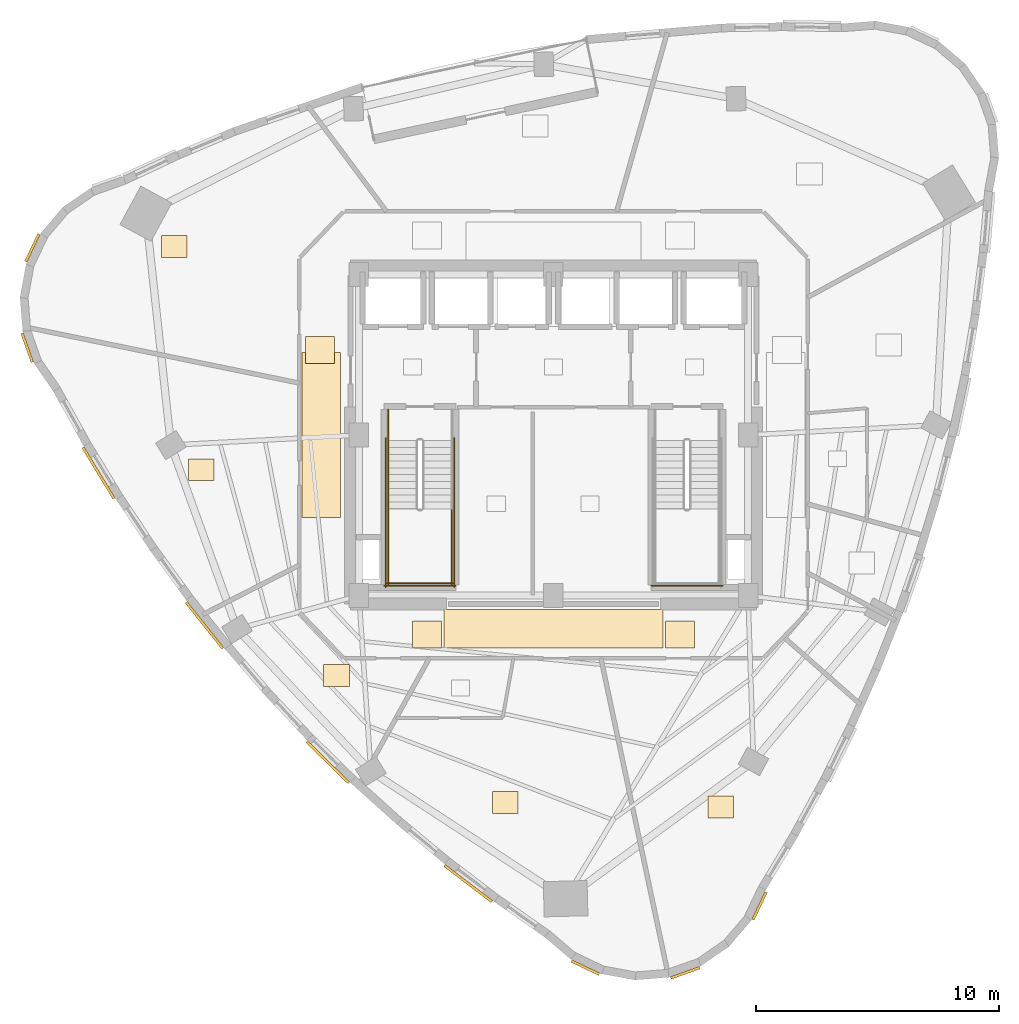
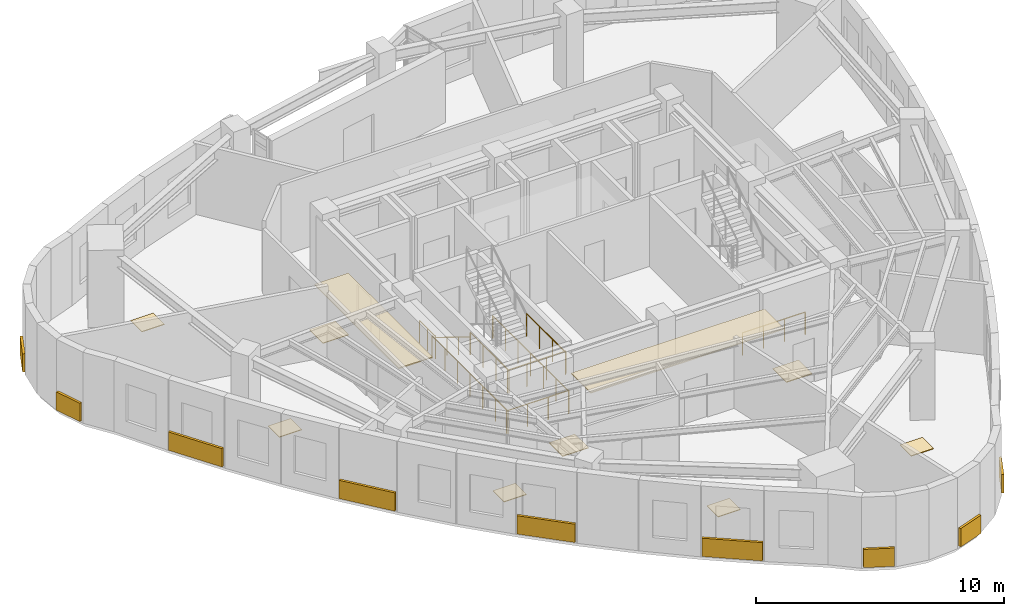
# One storey, part 8 of 10: 19 coverings, 9 railings.
"""IFC4 building model written with IfcOpenShell, lengths in metres."""

from ifc_helpers import new_model, si_unit, direction, frame, origin, origin_2d, place, context, subcontext, project, spatial, rectangle, circle, extrude, material, layer, layer_set, type_object, element, save


model = new_model("IFC4")

# Units and contexts
model_context = context("Model", 3, precision=1e-05, world=origin(), true_north=direction((0.0, 1.0)))
body_context = subcontext(model_context, "Body", "Model", "MODEL_VIEW")
ifc_project = project(units=[si_unit("LENGTHUNIT", "METRE"), si_unit("AREAUNIT", "SQUARE_METRE"), si_unit("VOLUMEUNIT", "CUBIC_METRE"), si_unit("PLANEANGLEUNIT", "RADIAN"), si_unit("MASSUNIT", "GRAM", prefix="KILO")], contexts=[model_context])

# Site, building, storey
site_placement = place(None, origin())
site = spatial("IfcSite", under=ifc_project, at=site_placement, CompositionType="ELEMENT")
building_placement = place(site_placement, origin())
building = spatial("IfcBuilding", under=site, at=building_placement, Name="Ndelora Gate Hotel", CompositionType="ELEMENT")
storey_placement = place(building_placement, frame((0.0, 0.0, 251.14990234375)))
storey = spatial("IfcBuildingStorey", under=building, at=storey_placement, Name="L63", CompositionType="ELEMENT", Elevation=251.14990234375)

# Coverings
ifc_material_1 = material(Name="Perforated Acoustic Gypsum Board", Category="gypsum")
ifc_layer_1 = layer(ifc_material_1, 0.054931640625)
ifc_layer_set_1 = layer_set([ifc_layer_1], Name="Perforated Acoustic Gypsum Board")
covering_type_1 = type_object("IfcCoveringType", Name="COV-CEIL-AC60", PredefinedType="CEILING", material=ifc_layer_set_1)
covering_1_placement = place(storey_placement, frame((-9.550048828125, 0.0, 2.65283203125), z_axis=(0.0, 0.0, 1.0), x_axis=(1.0, 0.0, 0.0)))
element("IfcCovering", 1, at=covering_1_placement, inside=storey, type_object=covering_type_1, Name="L63 Guest Corridor Acoustic Ceiling W", PredefinedType="CEILING", context=body_context, shape_type="SweptSolid", body=[
    extrude(rectangle(XDim=1.580078125, YDim=6.800048828125, at=origin_2d()), origin(), (0.0, 0.0, 1.0), 0.054931640625),
])
covering_2_placement = place(storey_placement, frame((0.0, -7.9599609375, 2.65283203125), z_axis=(0.0, 0.0, 1.0), x_axis=(1.0, 0.0, 0.0)))
element("IfcCovering", 2, at=covering_2_placement, inside=storey, type_object=covering_type_1, Name="L63 Guest Corridor Acoustic Ceiling S", PredefinedType="CEILING", context=body_context, shape_type="SweptSolid", body=[
    extrude(rectangle(XDim=9.0, YDim=1.580078125, at=origin_2d()), origin(), (0.0, 0.0, 1.0), 0.054931640625),
])
ifc_material_2 = material(Name="Terracotta Fired Clay Brick Slip Cladding", Category="masonry")
ifc_layer_2 = layer(ifc_material_2, 0.110107421875)
ifc_layer_set_2 = layer_set([ifc_layer_2], Name="Terracotta Fired Clay Brick Slip Cladding")
covering_type_2 = type_object("IfcCoveringType", Name="COV-CLAD-BRK", PredefinedType="CLADDING", material=ifc_layer_set_2)
covering_3_placement = place(storey_placement, frame((-21.42578125, 7.69921875, 0.10009765625), z_axis=(0.0, 0.0, 1.0), x_axis=(0.430511096808, 0.90258528435, 0.0)))
element("IfcCovering", 3, at=covering_3_placement, inside=storey, type_object=covering_type_2, Name="L63 Rounded-Corner Brick Cladding Band 4", PredefinedType="CLADDING", context=body_context, shape_type="SweptSolid", body=[
    extrude(rectangle(XDim=1.258056640625, YDim=0.110107421875, at=origin_2d()), origin(), (0.0, 0.0, 1.0), 0.89990234375),
])
covering_4_placement = place(storey_placement, frame((-21.64111328125, 3.591796875, 0.10009765625), z_axis=(0.0, 0.0, 1.0), x_axis=(-0.333806859234, 0.942641491092, 0.0)))
element("IfcCovering", 4, at=covering_4_placement, inside=storey, type_object=covering_type_2, Name="L63 Rounded-Corner Brick Cladding Band 7", PredefinedType="CLADDING", context=body_context, shape_type="SweptSolid", body=[
    extrude(rectangle(XDim=1.257080078125, YDim=0.110107421875, at=origin_2d()), origin(), (0.0, 0.0, 1.0), 0.89990234375),
])
covering_5_placement = place(storey_placement, frame((-18.70947265625, -1.558837890625, 0.10009765625), z_axis=(0.0, 0.0, 1.0), x_axis=(-0.519668235165, 0.854368143929, 0.0)))
element("IfcCovering", 5, at=covering_5_placement, inside=storey, type_object=covering_type_2, Name="L63 Rounded-Corner Brick Cladding Band 10", PredefinedType="CLADDING", context=body_context, shape_type="SweptSolid", body=[
    extrude(rectangle(XDim=2.4599609375, YDim=0.110107421875, at=origin_2d()), origin(), (0.0, 0.0, 1.0), 0.89990234375),
])
for number, where, z_axis, x_axis, name in (
    (6, (-14.35009765625, -7.824951171875, 0.10009765625), (0.0, 0.0, 1.0), (-0.621147780278, 0.783693457326, 0.0), "L63 Rounded-Corner Brick Cladding Band 13"),
    (7, (-9.281982421875, -13.45361328125, 0.10009765625), (0.0, 0.0, 1.0), (-0.714472679633, 0.699663340513, 0.0), "L63 Rounded-Corner Brick Cladding Band 16"),
):
    element("IfcCovering", number, at=place(storey_placement, frame(where, z_axis=z_axis, x_axis=x_axis)), inside=storey, type_object=covering_type_2, Name=name, PredefinedType="CLADDING", context=body_context, shape_type="SweptSolid", body=[
        extrude(rectangle(XDim=2.4208984375, YDim=0.110107421875, at=origin_2d()), origin(), (0.0, 0.0, 1.0), 0.89990234375),
    ])
covering_6_placement = place(storey_placement, frame((-3.506103515625, -18.444091796875, 0.10009765625), z_axis=(0.0, 0.0, 1.0), x_axis=(-0.795367703812, 0.606127227349, 0.0)))
element("IfcCovering", 8, at=covering_6_placement, inside=storey, type_object=covering_type_2, Name="L63 Rounded-Corner Brick Cladding Band 19", PredefinedType="CLADDING", context=body_context, shape_type="SweptSolid", body=[
    extrude(rectangle(XDim=2.4599609375, YDim=0.110107421875, at=origin_2d()), origin(), (0.0, 0.0, 1.0), 0.89990234375),
])
covering_7_placement = place(storey_placement, frame((1.31005859375, -21.89794921875, 0.10009765625), z_axis=(0.0, 0.0, 1.0), x_axis=(-0.90258528435, 0.430511096808, 0.0)))
element("IfcCovering", 9, at=covering_7_placement, inside=storey, type_object=covering_type_2, Name="L63 Rounded-Corner Brick Cladding Band 22", PredefinedType="CLADDING", context=body_context, shape_type="SweptSolid", body=[
    extrude(rectangle(XDim=1.258056640625, YDim=0.110107421875, at=origin_2d()), origin(), (0.0, 0.0, 1.0), 0.89990234375),
])
covering_8_placement = place(storey_placement, frame((5.41748046875, -22.11328125, 0.10009765625), z_axis=(0.0, 0.0, 1.0), x_axis=(0.942641491092, 0.333806859234, 0.0)))
element("IfcCovering", 10, at=covering_8_placement, inside=storey, type_object=covering_type_2, Name="L63 Rounded-Corner Brick Cladding Band 25", PredefinedType="CLADDING", context=body_context, shape_type="SweptSolid", body=[
    extrude(rectangle(XDim=1.257080078125, YDim=0.110107421875, at=origin_2d()), origin(), (0.0, 0.0, 1.0), 0.89990234375),
])
covering_9_placement = place(storey_placement, frame((8.47412109375, -19.361083984375, 0.10009765625), z_axis=(0.0, 0.0, 1.0), x_axis=(0.430511096808, 0.90258528435, 0.0)))
element("IfcCovering", 11, at=covering_9_placement, inside=storey, type_object=covering_type_2, Name="L63 Rounded-Corner Brick Cladding Band 28", PredefinedType="CLADDING", context=body_context, shape_type="SweptSolid", body=[
    extrude(rectangle(XDim=1.258056640625, YDim=0.110107421875, at=origin_2d()), origin(), (0.0, 0.0, 1.0), 0.89990234375),
])
ifc_material_3 = material(Name="Engineered Highland Oak Parquet", Category="wood")
ifc_layer_3 = layer(ifc_material_3, 0.030029296875)
ifc_layer_set_3 = layer_set([ifc_layer_3], Name="Engineered Highland Oak Parquet")
covering_type_3 = type_object("IfcCoveringType", Name="COV-FLR-PARQ", PredefinedType="FLOORING", material=ifc_layer_set_3)
for number, where, z_axis, x_axis, name in (
    (12, (-15.5849609375, 7.751708984375, 0.0), (0.0, 0.0, 1.0), (1.0, 0.0, 0.0), "L63 Diplomatic Security Office Oak Parquet Flooring"),
    (13, (-14.4892578125, -1.424560546875, 0.0), (0.0, 0.0, 1.0), (1.0, 0.0, 0.0), "L63 Royal Retinue Conference Room Oak Parquet Flooring"),
    (14, (-8.9208984375, -9.887451171875, 0.0), (0.0, 0.0, 1.0), (1.0, 0.0, 0.0), "L63 Private Chef Kitchen Oak Parquet Flooring"),
    (15, (-1.982421875, -15.110107421875, 0.0), (0.0, 0.0, 1.0), (1.0, 0.0, 0.0), "L63 Ambassador Retinue Suite 6602 Oak Parquet Flooring"),
    (16, (6.885498046875, -15.29931640625, 0.0), (0.0, 0.0, 1.0), (1.0, 0.0, 0.0), "L63 Protocol Study Office Oak Parquet Flooring"),
):
    element("IfcCovering", number, at=place(storey_placement, frame(where, z_axis=z_axis, x_axis=x_axis)), inside=storey, type_object=covering_type_3, Name=name, PredefinedType="FLOORING", context=body_context, shape_type="SweptSolid", body=[
        extrude(rectangle(XDim=1.050048828125, YDim=0.89990234375, at=origin_2d()), origin(), (0.0, 0.0, 1.0), 0.030029296875),
    ])
ifc_material_4 = material(Name="Polished Highland Stone Terrazzo", Category="masonry")
ifc_layer_4 = layer(ifc_material_4, 0.034912109375)
ifc_layer_set_4 = layer_set([ifc_layer_4], Name="Polished Highland Stone Terrazzo")
covering_type_4 = type_object("IfcCoveringType", Name="COV-FLR-TERZ", PredefinedType="FLOORING", material=ifc_layer_set_4)
for number, where, z_axis, x_axis, name in (
    (17, (-9.60009765625, 3.5, 0.0), (0.0, 0.0, 1.0), (1.0, 0.0, 0.0), "L63 Corridor Threshold Terrazzo Inlay W"),
    (18, (-5.199951171875, -8.199951171875, 0.0), (0.0, 0.0, 1.0), (1.0, 0.0, 0.0), "L63 Corridor Threshold Terrazzo Inlay SW"),
    (19, (5.199951171875, -8.199951171875, 0.0), (0.0, 0.0, 1.0), (1.0, 0.0, 0.0), "L63 Corridor Threshold Terrazzo Inlay SE"),
):
    element("IfcCovering", number, at=place(storey_placement, frame(where, z_axis=z_axis, x_axis=x_axis)), inside=storey, type_object=covering_type_4, Name=name, PredefinedType="FLOORING", context=body_context, shape_type="SweptSolid", body=[
        extrude(rectangle(XDim=1.199951171875, YDim=1.10009765625, at=origin_2d()), origin(), (0.0, 0.0, 1.0), 0.034912109375),
    ])

# Railings
ifc_material_5 = material(Name="Painted Galvanized Steel Balustrade", Category="steel")
ifc_layer_5 = layer(ifc_material_5, 0.06005859375)
ifc_layer_set_5 = layer_set([ifc_layer_5], Name="Painted Galvanized Steel Balustrade")
railing_type_1 = type_object("IfcRailingType", Name="RL-STAIR-GD", PredefinedType="GUARDRAIL", material=ifc_layer_set_5)
for number, where, name in (
    (20, (-6.800048828125, -3.030029296875, 1.900146484375), "L63 ST4 stair guard 3"),
    (21, (-4.179931640625, -3.030029296875, 1.900146484375), "L63 ST4 stair guard 4"),
):
    element("IfcRailing", number, at=place(storey_placement, frame(where)), inside=storey, type_object=railing_type_1, Name=name, PredefinedType="GUARDRAIL", context=body_context, shape_type="SweptSolid", body=[
        extrude(circle(Radius=0.02392578125, at=origin_2d()), frame((0.0, 0.0, 1.10595703125), z_axis=(0.0, -1.0, 0.0), x_axis=(1.0, 0.0, 0.0)), (0.0, 0.0, 1.0), 3.119873046875),
        extrude(circle(Radius=0.02099609375, at=origin_2d()), origin(), (0.0, 0.0, 1.0), 1.081787109375),
        extrude(circle(Radius=0.02099609375, at=origin_2d()), frame((0.0, -1.0400390625, 0.0)), (0.0, 0.0, 1.0), 1.081787109375),
        extrude(circle(Radius=0.02099609375, at=origin_2d()), frame((0.0, -2.079833984375, 0.0)), (0.0, 0.0, 1.0), 1.081787109375),
        extrude(circle(Radius=0.02099609375, at=origin_2d()), frame((0.0, -3.119873046875, 0.0)), (0.0, 0.0, 1.0), 1.081787109375),
    ])
railing_1_placement = place(storey_placement, frame((-6.85009765625, -6.10009765625, 1.900146484375)))
element("IfcRailing", 22, at=railing_1_placement, inside=storey, type_object=railing_type_1, Name="L63 ST4 stair guard 5", PredefinedType="GUARDRAIL", context=body_context, shape_type="SweptSolid", body=[
    extrude(circle(Radius=0.02392578125, at=origin_2d()), frame((0.0, 0.0, 1.10595703125), z_axis=(1.0, 0.0, 0.0), x_axis=(0.0, 1.0, 0.0)), (0.0, 0.0, 1.0), 2.72021484375),
    extrude(circle(Radius=0.02099609375, at=origin_2d()), origin(), (0.0, 0.0, 1.0), 1.081787109375),
    extrude(circle(Radius=0.02099609375, at=origin_2d()), frame((0.90673828125, 0.0, 0.0)), (0.0, 0.0, 1.0), 1.081787109375),
    extrude(circle(Radius=0.02099609375, at=origin_2d()), frame((1.8134765625, 0.0, 0.0)), (0.0, 0.0, 1.0), 1.081787109375),
    extrude(circle(Radius=0.02099609375, at=origin_2d()), frame((2.72021484375, 0.0, 0.0)), (0.0, 0.0, 1.0), 1.081787109375),
])
railing_2_placement = place(storey_placement, frame((-6.800048828125, 1.050048828125, 0.0)))
element("IfcRailing", 23, at=railing_2_placement, inside=storey, type_object=railing_type_1, Name="L63 ST4 stair guard 8", PredefinedType="GUARDRAIL", context=body_context, shape_type="SweptSolid", body=[
    extrude(circle(Radius=0.02392578125, at=origin_2d()), frame((0.0, 0.0, 1.10595703125), z_axis=(0.0, -1.0, 0.0), x_axis=(1.0, 0.0, 0.0)), (0.0, 0.0, 1.0), 1.280029296875),
    extrude(circle(Radius=0.02099609375, at=origin_2d()), origin(), (0.0, 0.0, 1.0), 1.081787109375),
    extrude(circle(Radius=0.02099609375, at=origin_2d()), frame((0.0, -0.64013671875, 0.0)), (0.0, 0.0, 1.0), 1.081787109375),
    extrude(circle(Radius=0.02099609375, at=origin_2d()), frame((0.0, -1.280029296875, 0.0)), (0.0, 0.0, 1.0), 1.081787109375),
])
for number, where, name in (
    (24, (-6.89990234375, -0.1298828125, 0.0), "L63 ST4 stair guard 10"),
    (25, (-4.080078125, -0.1298828125, 0.0), "L63 ST4 stair guard 11"),
):
    element("IfcRailing", number, at=place(storey_placement, frame(where)), inside=storey, type_object=railing_type_1, Name=name, PredefinedType="GUARDRAIL", context=body_context, shape_type="SweptSolid", body=[
        extrude(circle(Radius=0.02392578125, at=origin_2d()), frame((0.0, 0.0, 1.10595703125), z_axis=(0.0, -1.0, 0.0), x_axis=(1.0, 0.0, 0.0)), (0.0, 0.0, 1.0), 6.1201171875),
        extrude(circle(Radius=0.02099609375, at=origin_2d()), origin(), (0.0, 0.0, 1.0), 1.081787109375),
        extrude(circle(Radius=0.02099609375, at=origin_2d()), frame((0.0, -1.02001953125, 0.0)), (0.0, 0.0, 1.0), 1.081787109375),
        extrude(circle(Radius=0.02099609375, at=origin_2d()), frame((0.0, -2.0400390625, 0.0)), (0.0, 0.0, 1.0), 1.081787109375),
        extrude(circle(Radius=0.02099609375, at=origin_2d()), frame((0.0, -3.06005859375, 0.0)), (0.0, 0.0, 1.0), 1.081787109375),
        extrude(circle(Radius=0.02099609375, at=origin_2d()), frame((0.0, -4.080078125, 0.0)), (0.0, 0.0, 1.0), 1.081787109375),
        extrude(circle(Radius=0.02099609375, at=origin_2d()), frame((0.0, -5.10009765625, 0.0)), (0.0, 0.0, 1.0), 1.081787109375),
        extrude(circle(Radius=0.02099609375, at=origin_2d()), frame((0.0, -6.1201171875, 0.0)), (0.0, 0.0, 1.0), 1.081787109375),
    ])
for number, where, name in (
    (26, (-6.949951171875, -6.199951171875, 0.0), "L63 ST4 stair guard 12"),
    (27, (4.030029296875, -6.199951171875, 0.0), "L63 ST5 stair guard 12"),
):
    element("IfcRailing", number, at=place(storey_placement, frame(where)), inside=storey, type_object=railing_type_1, Name=name, PredefinedType="GUARDRAIL", context=body_context, shape_type="SweptSolid", body=[
        extrude(circle(Radius=0.02392578125, at=origin_2d()), frame((0.0, 0.0, 1.10595703125), z_axis=(1.0, 0.0, 0.0), x_axis=(0.0, 1.0, 0.0)), (0.0, 0.0, 1.0), 2.919921875),
        extrude(circle(Radius=0.02099609375, at=origin_2d()), origin(), (0.0, 0.0, 1.0), 1.081787109375),
        extrude(circle(Radius=0.02099609375, at=origin_2d()), frame((0.973388671875, 0.0, 0.0)), (0.0, 0.0, 1.0), 1.081787109375),
        extrude(circle(Radius=0.02099609375, at=origin_2d()), frame((1.946533203125, 0.0, 0.0)), (0.0, 0.0, 1.0), 1.081787109375),
        extrude(circle(Radius=0.02099609375, at=origin_2d()), frame((2.919921875, 0.0, 0.0)), (0.0, 0.0, 1.0), 1.081787109375),
    ])
ifc_material_6 = material(Name="Brushed Stainless Steel 316", Category="steel")
ifc_layer_6 = layer(ifc_material_6, 0.050048828125)
ifc_layer_set_6 = layer_set([ifc_layer_6], Name="Brushed Stainless Steel 316")
railing_type_2 = type_object("IfcRailingType", Name="RL-STAIR-HR", PredefinedType="HANDRAIL", material=ifc_layer_set_6)
railing_3_placement = place(storey_placement, frame((-6.800048828125, -0.22998046875, 0.1728515625)))
element("IfcRailing", 28, at=railing_3_placement, inside=storey, type_object=railing_type_2, Name="L63 ST4 stair handrail 1", PredefinedType="HANDRAIL", context=body_context, shape_type="SweptSolid", body=[
    extrude(circle(Radius=0.02392578125, at=origin_2d()), frame((0.0, 0.0, 0.8759765625), z_axis=(0.0, -0.851089632645, 0.525020415988), x_axis=(1.0, 0.0, 0.0)), (0.0, 0.0, 1.0), 3.2900390625),
    extrude(circle(Radius=0.02099609375, at=origin_2d()), origin(), (0.0, 0.0, 1.0), 0.851806640625),
    extrude(circle(Radius=0.02099609375, at=origin_2d()), frame((0.0, -0.933349609375, 0.57568359375)), (0.0, 0.0, 1.0), 0.851806640625),
    extrude(circle(Radius=0.02099609375, at=origin_2d()), frame((0.0, -1.86669921875, 1.151611328125)), (0.0, 0.0, 1.0), 0.851806640625),
    extrude(circle(Radius=0.02099609375, at=origin_2d()), frame((0.0, -2.800048828125, 1.727294921875)), (0.0, 0.0, 1.0), 0.851806640625),
])

save(model, "model.ifc")
